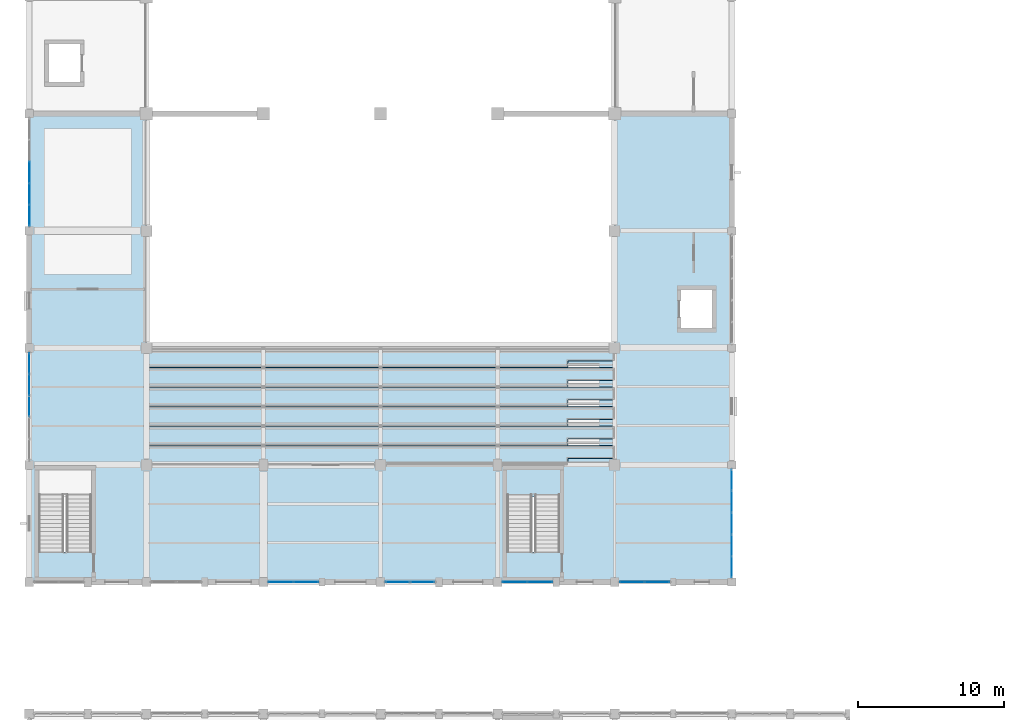
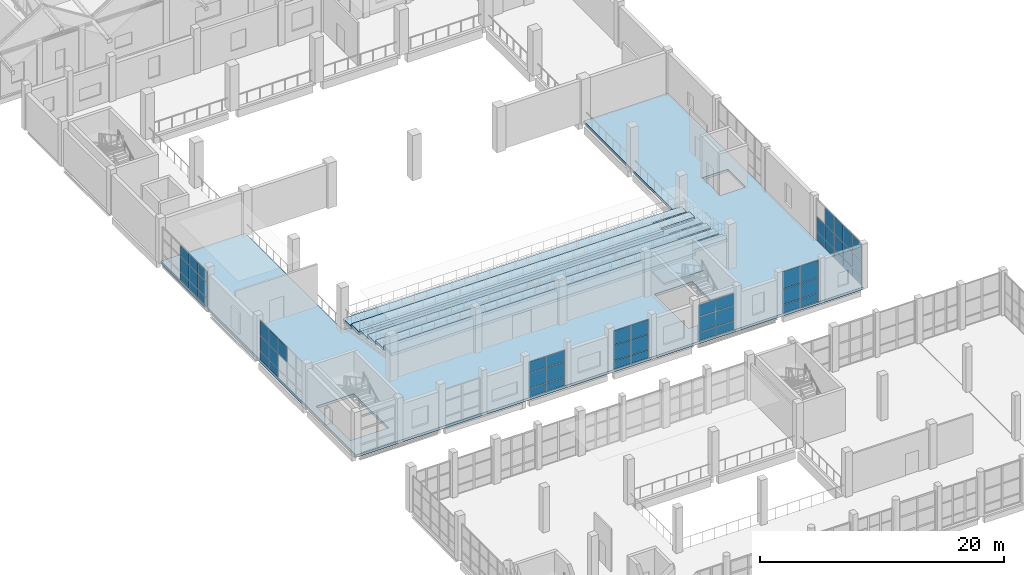
# One storey, part 120 of 183: 54 plates, 8 slabs, 8 elements without a shape of their own.
"""IFC4 building model written with IfcOpenShell, lengths in metres."""

from ifc_helpers import new_model, si_unit, direction, frame, origin, origin_2d, place, context, subcontext, project, spatial, polyline, rectangle, outline, extrude, material, layer, layer_set, type_object, element, aggregate, save


model = new_model("IFC4")

# Units and contexts
model_context = context("Model", 3, precision=1e-05, world=origin(), true_north=direction((0.0, 1.0)))
body_context = subcontext(model_context, "Body", "Model", "MODEL_VIEW")
ifc_project = project(units=[si_unit("LENGTHUNIT", "METRE"), si_unit("AREAUNIT", "SQUARE_METRE"), si_unit("VOLUMEUNIT", "CUBIC_METRE"), si_unit("PLANEANGLEUNIT", "RADIAN"), si_unit("MASSUNIT", "GRAM", prefix="KILO")], contexts=[model_context])

# Site, building, storey
site_placement = place(None, origin())
site = spatial("IfcSite", under=ifc_project, at=site_placement, CompositionType="ELEMENT")
building_placement = place(site_placement, origin())
building = spatial("IfcBuilding", under=site, at=building_placement, Name="Luwemba Playhouse", CompositionType="ELEMENT")
storey_placement = place(building_placement, frame((0.0, 0.0, 4.800048828125)))
storey = spatial("IfcBuildingStorey", under=building, at=storey_placement, Name="L01", CompositionType="ELEMENT", Elevation=4.800048828125)

# Curtain wall, plates
ifc_material_1 = material(Name="Solar-control double glazing", Category="glass")
curtain_wall_type_1 = type_object("IfcCurtainWallType", Name="CW-CW74", PredefinedType="USERDEFINED", material=ifc_material_1)
curtain_wall_1_placement = place(storey_placement, origin())
curtain_wall_1 = element("IfcCurtainWall", 1, at=curtain_wall_1_placement, inside=storey, type_object=curtain_wall_type_1, Name="L01 V1 unitised curtain wall 098", ObjectType="UNITISED GLAZING", PredefinedType="USERDEFINED")
ifc_layer_1 = layer(ifc_material_1, 0.02392578125)
ifc_layer_set_1 = layer_set([ifc_layer_1], Name="Solar-control double glazing")
plate_type_1 = type_object("IfcPlateType", Name="CWP-P1", PredefinedType="CURTAIN_PANEL", material=ifc_layer_set_1)
plate_1_placement = place(storey_placement, frame((52.0, 42.965087890625, 0.059814453125), z_axis=(0.0, 0.0, 1.0), x_axis=(0.0, -1.0, 0.0)))
plate_1 = element("IfcPlate", 2, at=plate_1_placement, type_object=plate_type_1, Name="CW74 panel 1.1", PredefinedType="CURTAIN_PANEL", context=body_context, shape_type="SweptSolid", body=[
    extrude(rectangle(XDim=1.39990234375, YDim=0.02392578125, at=origin_2d()), origin(), (0.0, 0.0, 1.0), 0.81005859375),
])
plate_2_placement = place(storey_placement, frame((52.0, 42.965087890625, 0.93017578125), z_axis=(0.0, 0.0, 1.0), x_axis=(0.0, -1.0, 0.0)))
plate_2 = element("IfcPlate", 3, at=plate_2_placement, type_object=plate_type_1, Name="CW74 panel 1.2", PredefinedType="CURTAIN_PANEL", context=body_context, shape_type="SweptSolid", body=[
    extrude(rectangle(XDim=1.39990234375, YDim=0.02392578125, at=origin_2d()), origin(), (0.0, 0.0, 1.0), 1.489990234375),
])
plate_3_placement = place(storey_placement, frame((52.0, 41.489990234375, 0.059814453125), z_axis=(0.0, 0.0, 1.0), x_axis=(0.0, -1.0, 0.0)))
plate_3 = element("IfcPlate", 4, at=plate_3_placement, type_object=plate_type_1, Name="CW74 panel 2.1", PredefinedType="CURTAIN_PANEL", context=body_context, shape_type="SweptSolid", body=[
    extrude(rectangle(XDim=1.429931640625, YDim=0.02392578125, at=origin_2d()), origin(), (0.0, 0.0, 1.0), 0.81005859375),
])
plate_4_placement = place(storey_placement, frame((52.0, 41.489990234375, 0.93017578125), z_axis=(0.0, 0.0, 1.0), x_axis=(0.0, -1.0, 0.0)))
plate_4 = element("IfcPlate", 5, at=plate_4_placement, type_object=plate_type_1, Name="CW74 panel 2.2", PredefinedType="CURTAIN_PANEL", context=body_context, shape_type="SweptSolid", body=[
    extrude(rectangle(XDim=1.429931640625, YDim=0.02392578125, at=origin_2d()), origin(), (0.0, 0.0, 1.0), 1.489990234375),
])
plate_5_placement = place(storey_placement, frame((52.0, 41.489990234375, 2.47998046875), z_axis=(0.0, 0.0, 1.0), x_axis=(0.0, -1.0, 0.0)))
plate_5 = element("IfcPlate", 6, at=plate_5_placement, type_object=plate_type_1, Name="CW74 panel 2.3", PredefinedType="CURTAIN_PANEL", context=body_context, shape_type="SweptSolid", body=[
    extrude(rectangle(XDim=1.429931640625, YDim=0.02392578125, at=origin_2d()), origin(), (0.0, 0.0, 1.0), 1.7099609375),
])
plate_6_placement = place(storey_placement, frame((52.0, 40.0, 0.059814453125), z_axis=(0.0, 0.0, 1.0), x_axis=(0.0, -1.0, 0.0)))
plate_6 = element("IfcPlate", 7, at=plate_6_placement, type_object=plate_type_1, Name="CW74 panel 3.1", PredefinedType="CURTAIN_PANEL", context=body_context, shape_type="SweptSolid", body=[
    extrude(rectangle(XDim=1.429931640625, YDim=0.02392578125, at=origin_2d()), origin(), (0.0, 0.0, 1.0), 0.81005859375),
])
plate_7_placement = place(storey_placement, frame((52.0, 40.0, 0.93017578125), z_axis=(0.0, 0.0, 1.0), x_axis=(0.0, -1.0, 0.0)))
plate_7 = element("IfcPlate", 8, at=plate_7_placement, type_object=plate_type_1, Name="CW74 panel 3.2", PredefinedType="CURTAIN_PANEL", context=body_context, shape_type="SweptSolid", body=[
    extrude(rectangle(XDim=1.429931640625, YDim=0.02392578125, at=origin_2d()), origin(), (0.0, 0.0, 1.0), 1.489990234375),
])
plate_8_placement = place(storey_placement, frame((52.0, 40.0, 2.47998046875), z_axis=(0.0, 0.0, 1.0), x_axis=(0.0, -1.0, 0.0)))
plate_8 = element("IfcPlate", 9, at=plate_8_placement, type_object=plate_type_1, Name="CW74 panel 3.3", PredefinedType="CURTAIN_PANEL", context=body_context, shape_type="SweptSolid", body=[
    extrude(rectangle(XDim=1.429931640625, YDim=0.02392578125, at=origin_2d()), origin(), (0.0, 0.0, 1.0), 1.7099609375),
])
plate_9_placement = place(storey_placement, frame((52.0, 38.510009765625, 0.059814453125), z_axis=(0.0, 0.0, 1.0), x_axis=(0.0, -1.0, 0.0)))
plate_9 = element("IfcPlate", 10, at=plate_9_placement, type_object=plate_type_1, Name="CW74 panel 4.1", PredefinedType="CURTAIN_PANEL", context=body_context, shape_type="SweptSolid", body=[
    extrude(rectangle(XDim=1.429931640625, YDim=0.02392578125, at=origin_2d()), origin(), (0.0, 0.0, 1.0), 0.81005859375),
])
plate_10_placement = place(storey_placement, frame((52.0, 38.510009765625, 0.93017578125), z_axis=(0.0, 0.0, 1.0), x_axis=(0.0, -1.0, 0.0)))
plate_10 = element("IfcPlate", 11, at=plate_10_placement, type_object=plate_type_1, Name="CW74 panel 4.2", PredefinedType="CURTAIN_PANEL", context=body_context, shape_type="SweptSolid", body=[
    extrude(rectangle(XDim=1.429931640625, YDim=0.02392578125, at=origin_2d()), origin(), (0.0, 0.0, 1.0), 1.489990234375),
])
plate_11_placement = place(storey_placement, frame((52.0, 38.510009765625, 2.47998046875), z_axis=(0.0, 0.0, 1.0), x_axis=(0.0, -1.0, 0.0)))
plate_11 = element("IfcPlate", 12, at=plate_11_placement, type_object=plate_type_1, Name="CW74 panel 4.3", PredefinedType="CURTAIN_PANEL", context=body_context, shape_type="SweptSolid", body=[
    extrude(rectangle(XDim=1.429931640625, YDim=0.02392578125, at=origin_2d()), origin(), (0.0, 0.0, 1.0), 1.7099609375),
])
plate_12_placement = place(storey_placement, frame((52.0, 37.034912109375, 0.059814453125), z_axis=(0.0, 0.0, 1.0), x_axis=(0.0, -1.0, 0.0)))
plate_12 = element("IfcPlate", 13, at=plate_12_placement, type_object=plate_type_1, Name="CW74 panel 5.1", PredefinedType="CURTAIN_PANEL", context=body_context, shape_type="SweptSolid", body=[
    extrude(rectangle(XDim=1.39990234375, YDim=0.02392578125, at=origin_2d()), origin(), (0.0, 0.0, 1.0), 0.81005859375),
])
plate_13_placement = place(storey_placement, frame((52.0, 37.034912109375, 0.93017578125), z_axis=(0.0, 0.0, 1.0), x_axis=(0.0, -1.0, 0.0)))
plate_13 = element("IfcPlate", 14, at=plate_13_placement, type_object=plate_type_1, Name="CW74 panel 5.2", PredefinedType="CURTAIN_PANEL", context=body_context, shape_type="SweptSolid", body=[
    extrude(rectangle(XDim=1.39990234375, YDim=0.02392578125, at=origin_2d()), origin(), (0.0, 0.0, 1.0), 1.489990234375),
])
plate_14_placement = place(storey_placement, frame((52.0, 37.034912109375, 2.47998046875), z_axis=(0.0, 0.0, 1.0), x_axis=(0.0, -1.0, 0.0)))
plate_14 = element("IfcPlate", 15, at=plate_14_placement, type_object=plate_type_1, Name="CW74 panel 5.3", PredefinedType="CURTAIN_PANEL", context=body_context, shape_type="SweptSolid", body=[
    extrude(rectangle(XDim=1.39990234375, YDim=0.02392578125, at=origin_2d()), origin(), (0.0, 0.0, 1.0), 1.7099609375),
])
aggregate(curtain_wall_1, [plate_1, plate_2, plate_3, plate_4, plate_5, plate_6, plate_7, plate_8, plate_9, plate_10, plate_11, plate_12, plate_13, plate_14])

curtain_wall_type_2 = type_object("IfcCurtainWallType", Name="CW-CW77", PredefinedType="USERDEFINED", material=ifc_material_1)
curtain_wall_2_placement = place(storey_placement, origin())
curtain_wall_2 = element("IfcCurtainWall", 16, at=curtain_wall_2_placement, inside=storey, type_object=curtain_wall_type_2, Name="L01 V1 unitised curtain wall 102", ObjectType="UNITISED GLAZING", PredefinedType="USERDEFINED")
plate_15_placement = place(storey_placement, frame((22.909912109375, 36.0, 0.059814453125), z_axis=(0.0, 0.0, 1.0), x_axis=(-1.0, 0.0, 0.0)))
plate_15 = element("IfcPlate", 17, at=plate_15_placement, type_object=plate_type_1, Name="CW77 panel 1.1", PredefinedType="CURTAIN_PANEL", context=body_context, shape_type="SweptSolid", body=[
    extrude(rectangle(XDim=1.659912109375, YDim=0.02392578125, at=origin_2d()), origin(), (0.0, 0.0, 1.0), 0.81005859375),
])
plate_16_placement = place(storey_placement, frame((22.909912109375, 36.0, 0.93017578125), z_axis=(0.0, 0.0, 1.0), x_axis=(-1.0, 0.0, 0.0)))
plate_16 = element("IfcPlate", 18, at=plate_16_placement, type_object=plate_type_1, Name="CW77 panel 1.2", PredefinedType="CURTAIN_PANEL", context=body_context, shape_type="SweptSolid", body=[
    extrude(rectangle(XDim=1.659912109375, YDim=0.02392578125, at=origin_2d()), origin(), (0.0, 0.0, 1.0), 1.489990234375),
])
plate_17_placement = place(storey_placement, frame((22.909912109375, 36.0, 2.47998046875), z_axis=(0.0, 0.0, 1.0), x_axis=(-1.0, 0.0, 0.0)))
plate_17 = element("IfcPlate", 19, at=plate_17_placement, type_object=plate_type_1, Name="CW77 panel 1.3", PredefinedType="CURTAIN_PANEL", context=body_context, shape_type="SweptSolid", body=[
    extrude(rectangle(XDim=1.659912109375, YDim=0.02392578125, at=origin_2d()), origin(), (0.0, 0.0, 1.0), 1.094970703125),
])
plate_18_placement = place(storey_placement, frame((21.18994140625, 36.0, 0.059814453125), z_axis=(0.0, 0.0, 1.0), x_axis=(-1.0, 0.0, 0.0)))
plate_18 = element("IfcPlate", 20, at=plate_18_placement, type_object=plate_type_1, Name="CW77 panel 2.1", PredefinedType="CURTAIN_PANEL", context=body_context, shape_type="SweptSolid", body=[
    extrude(rectangle(XDim=1.659912109375, YDim=0.02392578125, at=origin_2d()), origin(), (0.0, 0.0, 1.0), 0.81005859375),
])
plate_19_placement = place(storey_placement, frame((21.18994140625, 36.0, 0.93017578125), z_axis=(0.0, 0.0, 1.0), x_axis=(-1.0, 0.0, 0.0)))
plate_19 = element("IfcPlate", 21, at=plate_19_placement, type_object=plate_type_1, Name="CW77 panel 2.2", PredefinedType="CURTAIN_PANEL", context=body_context, shape_type="SweptSolid", body=[
    extrude(rectangle(XDim=1.659912109375, YDim=0.02392578125, at=origin_2d()), origin(), (0.0, 0.0, 1.0), 1.489990234375),
])
plate_20_placement = place(storey_placement, frame((21.18994140625, 36.0, 2.47998046875), z_axis=(0.0, 0.0, 1.0), x_axis=(-1.0, 0.0, 0.0)))
plate_20 = element("IfcPlate", 22, at=plate_20_placement, type_object=plate_type_1, Name="CW77 panel 2.3", PredefinedType="CURTAIN_PANEL", context=body_context, shape_type="SweptSolid", body=[
    extrude(rectangle(XDim=1.659912109375, YDim=0.02392578125, at=origin_2d()), origin(), (0.0, 0.0, 1.0), 1.094970703125),
])
aggregate(curtain_wall_2, [plate_15, plate_16, plate_17, plate_18, plate_19, plate_20])

curtain_wall_type_3 = type_object("IfcCurtainWallType", Name="CW-CW71", PredefinedType="USERDEFINED", material=ifc_material_1)
curtain_wall_3_placement = place(storey_placement, origin())
curtain_wall_3 = element("IfcCurtainWall", 23, at=curtain_wall_3_placement, inside=storey, type_object=curtain_wall_type_3, Name="L01 V1 unitised curtain wall 095", ObjectType="UNITISED GLAZING", PredefinedType="USERDEFINED")
ifc_layer_2 = layer(ifc_material_1, 0.028076171875)
ifc_layer_set_2 = layer_set([ifc_layer_2], Name="Solar-control double glazing")
plate_type_2 = type_object("IfcPlateType", Name="CWP-P2", PredefinedType="CURTAIN_PANEL", material=ifc_layer_set_2)
plate_21_placement = place(storey_placement, frame((4.0, 48.0, 2.4775390625), z_axis=(0.0, 0.0, 1.0), x_axis=(0.0, 1.0, 0.0)))
plate_21 = element("IfcPlate", 24, at=plate_21_placement, type_object=plate_type_2, Name="CW71 panel 3.3", PredefinedType="CURTAIN_PANEL", context=body_context, shape_type="SweptSolid", body=[
    extrude(rectangle(XDim=1.4150390625, YDim=0.028076171875, at=origin_2d()), origin(), (0.0, 0.0, 1.0), 1.50244140625),
])
plate_22_placement = place(storey_placement, frame((4.0, 49.47998046875, 0.054931640625), z_axis=(0.0, 0.0, 1.0), x_axis=(0.0, 1.0, 0.0)))
plate_22 = element("IfcPlate", 25, at=plate_22_placement, type_object=plate_type_2, Name="CW71 panel 4.1", PredefinedType="CURTAIN_PANEL", context=body_context, shape_type="SweptSolid", body=[
    extrude(rectangle(XDim=1.4150390625, YDim=0.028076171875, at=origin_2d()), origin(), (0.0, 0.0, 1.0), 0.8173828125),
])
plate_23_placement = place(storey_placement, frame((4.0, 49.47998046875, 0.927490234375), z_axis=(0.0, 0.0, 1.0), x_axis=(0.0, 1.0, 0.0)))
plate_23 = element("IfcPlate", 26, at=plate_23_placement, type_object=plate_type_2, Name="CW71 panel 4.2", PredefinedType="CURTAIN_PANEL", context=body_context, shape_type="SweptSolid", body=[
    extrude(rectangle(XDim=1.4150390625, YDim=0.028076171875, at=origin_2d()), origin(), (0.0, 0.0, 1.0), 1.4951171875),
])
plate_24_placement = place(storey_placement, frame((4.0, 49.47998046875, 2.4775390625), z_axis=(0.0, 0.0, 1.0), x_axis=(0.0, 1.0, 0.0)))
plate_24 = element("IfcPlate", 27, at=plate_24_placement, type_object=plate_type_2, Name="CW71 panel 4.3", PredefinedType="CURTAIN_PANEL", context=body_context, shape_type="SweptSolid", body=[
    extrude(rectangle(XDim=1.4150390625, YDim=0.028076171875, at=origin_2d()), origin(), (0.0, 0.0, 1.0), 1.50244140625),
])
plate_25_placement = place(storey_placement, frame((4.0, 50.94384765625, 0.054931640625), z_axis=(0.0, 0.0, 1.0), x_axis=(0.0, 1.0, 0.0)))
plate_25 = element("IfcPlate", 28, at=plate_25_placement, type_object=plate_type_2, Name="CW71 panel 5.1", PredefinedType="CURTAIN_PANEL", context=body_context, shape_type="SweptSolid", body=[
    extrude(rectangle(XDim=1.382568359375, YDim=0.028076171875, at=origin_2d()), origin(), (0.0, 0.0, 1.0), 0.8173828125),
])
plate_26_placement = place(storey_placement, frame((4.0, 50.94384765625, 0.927490234375), z_axis=(0.0, 0.0, 1.0), x_axis=(0.0, 1.0, 0.0)))
plate_26 = element("IfcPlate", 29, at=plate_26_placement, type_object=plate_type_2, Name="CW71 panel 5.2", PredefinedType="CURTAIN_PANEL", context=body_context, shape_type="SweptSolid", body=[
    extrude(rectangle(XDim=1.382568359375, YDim=0.028076171875, at=origin_2d()), origin(), (0.0, 0.0, 1.0), 1.4951171875),
])
plate_27_placement = place(storey_placement, frame((4.0, 50.94384765625, 2.4775390625), z_axis=(0.0, 0.0, 1.0), x_axis=(0.0, 1.0, 0.0)))
plate_27 = element("IfcPlate", 30, at=plate_27_placement, type_object=plate_type_2, Name="CW71 panel 5.3", PredefinedType="CURTAIN_PANEL", context=body_context, shape_type="SweptSolid", body=[
    extrude(rectangle(XDim=1.382568359375, YDim=0.028076171875, at=origin_2d()), origin(), (0.0, 0.0, 1.0), 1.50244140625),
])
aggregate(curtain_wall_3, [plate_21, plate_22, plate_23, plate_24, plate_25, plate_26, plate_27])

curtain_wall_type_4 = type_object("IfcCurtainWallType", Name="CW-CW75", PredefinedType="USERDEFINED", material=ifc_material_1)
curtain_wall_4_placement = place(storey_placement, origin())
curtain_wall_4 = element("IfcCurtainWall", 31, at=curtain_wall_4_placement, inside=storey, type_object=curtain_wall_type_4, Name="L01 V1 unitised curtain wall 099", ObjectType="UNITISED GLAZING", PredefinedType="USERDEFINED")
plate_28_placement = place(storey_placement, frame((46.90869140625, 36.0, 0.054931640625), z_axis=(0.0, 0.0, 1.0), x_axis=(-1.0, 0.0, 0.0)))
plate_28 = element("IfcPlate", 32, at=plate_28_placement, type_object=plate_type_2, Name="CW75 panel 1.1", PredefinedType="CURTAIN_PANEL", context=body_context, shape_type="SweptSolid", body=[
    extrude(rectangle(XDim=1.652587890625, YDim=0.028076171875, at=origin_2d()), origin(), (0.0, 0.0, 1.0), 0.8173828125),
])
plate_29_placement = place(storey_placement, frame((46.90869140625, 36.0, 0.927490234375), z_axis=(0.0, 0.0, 1.0), x_axis=(-1.0, 0.0, 0.0)))
plate_29 = element("IfcPlate", 33, at=plate_29_placement, type_object=plate_type_2, Name="CW75 panel 1.2", PredefinedType="CURTAIN_PANEL", context=body_context, shape_type="SweptSolid", body=[
    extrude(rectangle(XDim=1.652587890625, YDim=0.028076171875, at=origin_2d()), origin(), (0.0, 0.0, 1.0), 1.4951171875),
])
plate_30_placement = place(storey_placement, frame((46.90869140625, 36.0, 2.4775390625), z_axis=(0.0, 0.0, 1.0), x_axis=(-1.0, 0.0, 0.0)))
plate_30 = element("IfcPlate", 34, at=plate_30_placement, type_object=plate_type_2, Name="CW75 panel 1.3", PredefinedType="CURTAIN_PANEL", context=body_context, shape_type="SweptSolid", body=[
    extrude(rectangle(XDim=1.652587890625, YDim=0.028076171875, at=origin_2d()), origin(), (0.0, 0.0, 1.0), 1.717529296875),
])
plate_31_placement = place(storey_placement, frame((45.191162109375, 36.0, 0.054931640625), z_axis=(0.0, 0.0, 1.0), x_axis=(-1.0, 0.0, 0.0)))
plate_31 = element("IfcPlate", 35, at=plate_31_placement, type_object=plate_type_2, Name="CW75 panel 2.1", PredefinedType="CURTAIN_PANEL", context=body_context, shape_type="SweptSolid", body=[
    extrude(rectangle(XDim=1.652587890625, YDim=0.028076171875, at=origin_2d()), origin(), (0.0, 0.0, 1.0), 0.8173828125),
])
plate_32_placement = place(storey_placement, frame((45.191162109375, 36.0, 0.927490234375), z_axis=(0.0, 0.0, 1.0), x_axis=(-1.0, 0.0, 0.0)))
plate_32 = element("IfcPlate", 36, at=plate_32_placement, type_object=plate_type_2, Name="CW75 panel 2.2", PredefinedType="CURTAIN_PANEL", context=body_context, shape_type="SweptSolid", body=[
    extrude(rectangle(XDim=1.652587890625, YDim=0.028076171875, at=origin_2d()), origin(), (0.0, 0.0, 1.0), 1.4951171875),
])
plate_33_placement = place(storey_placement, frame((45.191162109375, 36.0, 2.4775390625), z_axis=(0.0, 0.0, 1.0), x_axis=(-1.0, 0.0, 0.0)))
plate_33 = element("IfcPlate", 37, at=plate_33_placement, type_object=plate_type_2, Name="CW75 panel 2.3", PredefinedType="CURTAIN_PANEL", context=body_context, shape_type="SweptSolid", body=[
    extrude(rectangle(XDim=1.652587890625, YDim=0.028076171875, at=origin_2d()), origin(), (0.0, 0.0, 1.0), 1.717529296875),
])
aggregate(curtain_wall_4, [plate_28, plate_29, plate_30, plate_31, plate_32, plate_33])

curtain_wall_type_5 = type_object("IfcCurtainWallType", Name="CW-CW72", PredefinedType="USERDEFINED", material=ifc_material_1)
curtain_wall_5_placement = place(storey_placement, origin())
curtain_wall_5 = element("IfcCurtainWall", 38, at=curtain_wall_5_placement, inside=storey, type_object=curtain_wall_type_5, Name="L01 V1 unitised curtain wall 096", ObjectType="UNITISED GLAZING", PredefinedType="USERDEFINED")
ifc_layer_3 = layer(ifc_material_1, 0.031982421875)
ifc_layer_set_3 = layer_set([ifc_layer_3], Name="Solar-control double glazing")
plate_type_3 = type_object("IfcPlateType", Name="CWP-P3", PredefinedType="CURTAIN_PANEL", material=ifc_layer_set_3)
plate_34_placement = place(storey_placement, frame((4.0, 61.0537109375, 0.06494140625), z_axis=(0.0, 0.0, 1.0), x_axis=(0.0, 1.0, 0.0)))
plate_34 = element("IfcPlate", 39, at=plate_34_placement, type_object=plate_type_3, Name="CW72 panel 1.1", PredefinedType="CURTAIN_PANEL", context=body_context, shape_type="SweptSolid", body=[
    extrude(rectangle(XDim=1.3974609375, YDim=0.031982421875, at=origin_2d()), origin(), (0.0, 0.0, 1.0), 0.802490234375),
])
plate_35_placement = place(storey_placement, frame((4.0, 61.0537109375, 0.9326171875), z_axis=(0.0, 0.0, 1.0), x_axis=(0.0, 1.0, 0.0)))
plate_35 = element("IfcPlate", 40, at=plate_35_placement, type_object=plate_type_3, Name="CW72 panel 1.2", PredefinedType="CURTAIN_PANEL", context=body_context, shape_type="SweptSolid", body=[
    extrude(rectangle(XDim=1.3974609375, YDim=0.031982421875, at=origin_2d()), origin(), (0.0, 0.0, 1.0), 1.485107421875),
])
plate_36_placement = place(storey_placement, frame((4.0, 61.0537109375, 2.482421875), z_axis=(0.0, 0.0, 1.0), x_axis=(0.0, 1.0, 0.0)))
plate_36 = element("IfcPlate", 41, at=plate_36_placement, type_object=plate_type_3, Name="CW72 panel 1.3", PredefinedType="CURTAIN_PANEL", context=body_context, shape_type="SweptSolid", body=[
    extrude(rectangle(XDim=1.3974609375, YDim=0.031982421875, at=origin_2d()), origin(), (0.0, 0.0, 1.0), 1.08740234375),
])
plate_37_placement = place(storey_placement, frame((4.0, 62.52001953125, 0.06494140625), z_axis=(0.0, 0.0, 1.0), x_axis=(0.0, 1.0, 0.0)))
plate_37 = element("IfcPlate", 42, at=plate_37_placement, type_object=plate_type_3, Name="CW72 panel 2.1", PredefinedType="CURTAIN_PANEL", context=body_context, shape_type="SweptSolid", body=[
    extrude(rectangle(XDim=1.425048828125, YDim=0.031982421875, at=origin_2d()), origin(), (0.0, 0.0, 1.0), 0.802490234375),
])
plate_38_placement = place(storey_placement, frame((4.0, 62.52001953125, 0.9326171875), z_axis=(0.0, 0.0, 1.0), x_axis=(0.0, 1.0, 0.0)))
plate_38 = element("IfcPlate", 43, at=plate_38_placement, type_object=plate_type_3, Name="CW72 panel 2.2", PredefinedType="CURTAIN_PANEL", context=body_context, shape_type="SweptSolid", body=[
    extrude(rectangle(XDim=1.425048828125, YDim=0.031982421875, at=origin_2d()), origin(), (0.0, 0.0, 1.0), 1.485107421875),
])
plate_39_placement = place(storey_placement, frame((4.0, 62.52001953125, 2.482421875), z_axis=(0.0, 0.0, 1.0), x_axis=(0.0, 1.0, 0.0)))
plate_39 = element("IfcPlate", 44, at=plate_39_placement, type_object=plate_type_3, Name="CW72 panel 2.3", PredefinedType="CURTAIN_PANEL", context=body_context, shape_type="SweptSolid", body=[
    extrude(rectangle(XDim=1.425048828125, YDim=0.031982421875, at=origin_2d()), origin(), (0.0, 0.0, 1.0), 1.08740234375),
])
plate_40_placement = place(storey_placement, frame((4.0, 64.0, 0.06494140625), z_axis=(0.0, 0.0, 1.0), x_axis=(0.0, 1.0, 0.0)))
plate_40 = element("IfcPlate", 45, at=plate_40_placement, type_object=plate_type_3, Name="CW72 panel 3.1", PredefinedType="CURTAIN_PANEL", context=body_context, shape_type="SweptSolid", body=[
    extrude(rectangle(XDim=1.425048828125, YDim=0.031982421875, at=origin_2d()), origin(), (0.0, 0.0, 1.0), 0.802490234375),
])
plate_41_placement = place(storey_placement, frame((4.0, 64.0, 0.9326171875), z_axis=(0.0, 0.0, 1.0), x_axis=(0.0, 1.0, 0.0)))
plate_41 = element("IfcPlate", 46, at=plate_41_placement, type_object=plate_type_3, Name="CW72 panel 3.2", PredefinedType="CURTAIN_PANEL", context=body_context, shape_type="SweptSolid", body=[
    extrude(rectangle(XDim=1.425048828125, YDim=0.031982421875, at=origin_2d()), origin(), (0.0, 0.0, 1.0), 1.485107421875),
])
plate_42_placement = place(storey_placement, frame((4.0, 64.0, 2.482421875), z_axis=(0.0, 0.0, 1.0), x_axis=(0.0, 1.0, 0.0)))
plate_42 = element("IfcPlate", 47, at=plate_42_placement, type_object=plate_type_3, Name="CW72 panel 3.3", PredefinedType="CURTAIN_PANEL", context=body_context, shape_type="SweptSolid", body=[
    extrude(rectangle(XDim=1.425048828125, YDim=0.031982421875, at=origin_2d()), origin(), (0.0, 0.0, 1.0), 1.08740234375),
])
aggregate(curtain_wall_5, [plate_34, plate_35, plate_36, plate_37, plate_38, plate_39, plate_40, plate_41, plate_42])

curtain_wall_type_6 = type_object("IfcCurtainWallType", Name="CW-CW76", PredefinedType="USERDEFINED", material=ifc_material_1)
curtain_wall_6_placement = place(storey_placement, origin())
curtain_wall_6 = element("IfcCurtainWall", 48, at=curtain_wall_6_placement, inside=storey, type_object=curtain_wall_type_6, Name="L01 V1 unitised curtain wall 100", ObjectType="UNITISED GLAZING", PredefinedType="USERDEFINED")
plate_43_placement = place(storey_placement, frame((38.892578125, 36.0, 0.06494140625), z_axis=(0.0, 0.0, 1.0), x_axis=(-1.0, 0.0, 0.0)))
plate_43 = element("IfcPlate", 49, at=plate_43_placement, type_object=plate_type_3, Name="CW76 panel 1.1", PredefinedType="CURTAIN_PANEL", context=body_context, shape_type="SweptSolid", body=[
    extrude(rectangle(XDim=1.655029296875, YDim=0.031982421875, at=origin_2d()), origin(), (0.0, 0.0, 1.0), 0.802490234375),
])
plate_44_placement = place(storey_placement, frame((38.892578125, 36.0, 0.9326171875), z_axis=(0.0, 0.0, 1.0), x_axis=(-1.0, 0.0, 0.0)))
plate_44 = element("IfcPlate", 50, at=plate_44_placement, type_object=plate_type_3, Name="CW76 panel 1.2", PredefinedType="CURTAIN_PANEL", context=body_context, shape_type="SweptSolid", body=[
    extrude(rectangle(XDim=1.655029296875, YDim=0.031982421875, at=origin_2d()), origin(), (0.0, 0.0, 1.0), 1.485107421875),
])
plate_45_placement = place(storey_placement, frame((38.892578125, 36.0, 2.482421875), z_axis=(0.0, 0.0, 1.0), x_axis=(-1.0, 0.0, 0.0)))
plate_45 = element("IfcPlate", 51, at=plate_45_placement, type_object=plate_type_3, Name="CW76 panel 1.3", PredefinedType="CURTAIN_PANEL", context=body_context, shape_type="SweptSolid", body=[
    extrude(rectangle(XDim=1.655029296875, YDim=0.031982421875, at=origin_2d()), origin(), (0.0, 0.0, 1.0), 1.1875),
])
plate_46_placement = place(storey_placement, frame((37.1826171875, 36.0, 0.06494140625), z_axis=(0.0, 0.0, 1.0), x_axis=(-1.0, 0.0, 0.0)))
plate_46 = element("IfcPlate", 52, at=plate_46_placement, type_object=plate_type_3, Name="CW76 panel 2.1", PredefinedType="CURTAIN_PANEL", context=body_context, shape_type="SweptSolid", body=[
    extrude(rectangle(XDim=1.655029296875, YDim=0.031982421875, at=origin_2d()), origin(), (0.0, 0.0, 1.0), 0.802490234375),
])
plate_47_placement = place(storey_placement, frame((37.1826171875, 36.0, 0.9326171875), z_axis=(0.0, 0.0, 1.0), x_axis=(-1.0, 0.0, 0.0)))
plate_47 = element("IfcPlate", 53, at=plate_47_placement, type_object=plate_type_3, Name="CW76 panel 2.2", PredefinedType="CURTAIN_PANEL", context=body_context, shape_type="SweptSolid", body=[
    extrude(rectangle(XDim=1.655029296875, YDim=0.031982421875, at=origin_2d()), origin(), (0.0, 0.0, 1.0), 1.485107421875),
])
plate_48_placement = place(storey_placement, frame((37.1826171875, 36.0, 2.482421875), z_axis=(0.0, 0.0, 1.0), x_axis=(-1.0, 0.0, 0.0)))
plate_48 = element("IfcPlate", 54, at=plate_48_placement, type_object=plate_type_3, Name="CW76 panel 2.3", PredefinedType="CURTAIN_PANEL", context=body_context, shape_type="SweptSolid", body=[
    extrude(rectangle(XDim=1.655029296875, YDim=0.031982421875, at=origin_2d()), origin(), (0.0, 0.0, 1.0), 1.1875),
])
aggregate(curtain_wall_6, [plate_43, plate_44, plate_45, plate_46, plate_47, plate_48])

curtain_wall_type_7 = type_object("IfcCurtainWallType", Name="CW-CW63", PredefinedType="USERDEFINED", material=ifc_material_1)
curtain_wall_7_placement = place(storey_placement, origin())
curtain_wall_7 = element("IfcCurtainWall", 55, at=curtain_wall_7_placement, inside=storey, type_object=curtain_wall_type_7, Name="L01 V1 unitised curtain wall 101", ObjectType="UNITISED GLAZING", PredefinedType="USERDEFINED")
ifc_layer_4 = layer(ifc_material_1, 0.035888671875)
ifc_layer_set_4 = layer_set([ifc_layer_4], Name="Solar-control double glazing")
plate_type_4 = type_object("IfcPlateType", Name="CWP-P4", PredefinedType="CURTAIN_PANEL", material=ifc_layer_set_4)
plate_49_placement = place(storey_placement, frame((30.8701171875, 36.0, 0.0498046875), z_axis=(0.0, 0.0, 1.0), x_axis=(-1.0, 0.0, 0.0)))
plate_49 = element("IfcPlate", 56, at=plate_49_placement, type_object=plate_type_4, Name="CW63 panel 1.1", PredefinedType="CURTAIN_PANEL", context=body_context, shape_type="SweptSolid", body=[
    extrude(rectangle(XDim=1.6201171875, YDim=0.035888671875, at=origin_2d()), origin(), (0.0, 0.0, 1.0), 0.824951171875),
])
plate_50_placement = place(storey_placement, frame((30.8701171875, 36.0, 0.925048828125), z_axis=(0.0, 0.0, 1.0), x_axis=(-1.0, 0.0, 0.0)))
plate_50 = element("IfcPlate", 57, at=plate_50_placement, type_object=plate_type_4, Name="CW63 panel 1.2", PredefinedType="CURTAIN_PANEL", context=body_context, shape_type="SweptSolid", body=[
    extrude(rectangle(XDim=1.6201171875, YDim=0.035888671875, at=origin_2d()), origin(), (0.0, 0.0, 1.0), 1.5),
])
plate_51_placement = place(storey_placement, frame((30.8701171875, 36.0, 2.47509765625), z_axis=(0.0, 0.0, 1.0), x_axis=(-1.0, 0.0, 0.0)))
plate_51 = element("IfcPlate", 58, at=plate_51_placement, type_object=plate_type_4, Name="CW63 panel 1.3", PredefinedType="CURTAIN_PANEL", context=body_context, shape_type="SweptSolid", body=[
    extrude(rectangle(XDim=1.6201171875, YDim=0.035888671875, at=origin_2d()), origin(), (0.0, 0.0, 1.0), 1.409912109375),
])
plate_52_placement = place(storey_placement, frame((29.179931640625, 36.0, 0.0498046875), z_axis=(0.0, 0.0, 1.0), x_axis=(-1.0, 0.0, 0.0)))
plate_52 = element("IfcPlate", 59, at=plate_52_placement, type_object=plate_type_4, Name="CW63 panel 2.1", PredefinedType="CURTAIN_PANEL", context=body_context, shape_type="SweptSolid", body=[
    extrude(rectangle(XDim=1.6201171875, YDim=0.035888671875, at=origin_2d()), origin(), (0.0, 0.0, 1.0), 0.824951171875),
])
plate_53_placement = place(storey_placement, frame((29.179931640625, 36.0, 0.925048828125), z_axis=(0.0, 0.0, 1.0), x_axis=(-1.0, 0.0, 0.0)))
plate_53 = element("IfcPlate", 60, at=plate_53_placement, type_object=plate_type_4, Name="CW63 panel 2.2", PredefinedType="CURTAIN_PANEL", context=body_context, shape_type="SweptSolid", body=[
    extrude(rectangle(XDim=1.6201171875, YDim=0.035888671875, at=origin_2d()), origin(), (0.0, 0.0, 1.0), 1.5),
])
plate_54_placement = place(storey_placement, frame((29.179931640625, 36.0, 2.47509765625), z_axis=(0.0, 0.0, 1.0), x_axis=(-1.0, 0.0, 0.0)))
plate_54 = element("IfcPlate", 61, at=plate_54_placement, type_object=plate_type_4, Name="CW63 panel 2.3", PredefinedType="CURTAIN_PANEL", context=body_context, shape_type="SweptSolid", body=[
    extrude(rectangle(XDim=1.6201171875, YDim=0.035888671875, at=origin_2d()), origin(), (0.0, 0.0, 1.0), 1.409912109375),
])
aggregate(curtain_wall_7, [plate_49, plate_50, plate_51, plate_52, plate_53, plate_54])

# Slab
ifc_material_2 = material(Name="Concrete C40/50", Category="concrete")
ifc_layer_5 = layer(ifc_material_2, 0.25)
ifc_layer_set_5 = layer_set([ifc_layer_5], Name="Concrete C40/50")
slab_type_1 = type_object("IfcSlabType", Name="SLB-FLR-250", PredefinedType="FLOOR", material=ifc_layer_set_5)
slab_1_placement = place(storey_placement, frame((0.0, 0.0, -0.25)))
element("IfcSlab", 62, at=slab_1_placement, inside=storey, type_object=slab_type_1, Name="L01 V1 structural floor slab", PredefinedType="FLOOR", context=body_context, shape_type="SweptSolid", body=[
    extrude(outline(polyline([(52.0, 36.0), (4.0, 36.0), (4.0, 68.0), (12.0, 68.0), (12.0, 52.0), (44.0, 52.0), (44.0, 68.0), (52.0, 68.0), (52.0, 36.0)]), holes=[polyline([(8.25, 38.0400390625), (8.25, 43.659912109375), (4.64990234375, 43.659912109375), (4.64990234375, 38.0400390625), (8.25, 38.0400390625)]), polyline([(40.25, 38.0400390625), (40.25, 43.659912109375), (36.64990234375, 43.659912109375), (36.64990234375, 38.0400390625), (40.25, 38.0400390625)]), polyline([(48.39990234375, 53.199951171875), (50.800048828125, 53.199951171875), (50.800048828125, 56.10009765625), (48.39990234375, 56.10009765625), (48.39990234375, 53.199951171875)])]), origin(), (0.0, 0.0, 1.0), 0.25),
])

# Stair, slab
stair_type = type_object("IfcStairType", Name="STR-DL-02", PredefinedType="HALF_TURN_STAIR", material=ifc_material_2)
stair_placement = place(storey_placement, origin())
stair = element("IfcStair", 63, at=stair_placement, inside=storey, type_object=stair_type, Name="L01 Main Auditorium South-East Escape Stair", PredefinedType="HALF_TURN_STAIR")
ifc_layer_6 = layer(ifc_material_2, 0.215087890625)
ifc_layer_set_6 = layer_set([ifc_layer_6], Name="Concrete C40/50")
slab_type_2 = type_object("IfcSlabType", Name="SLB-LND-215", PredefinedType="LANDING", material=ifc_layer_set_6)
slab_2_placement = place(storey_placement, frame((0.0, 0.0, 2.050048828125)))
slab_2 = element("IfcSlab", 64, at=slab_2_placement, type_object=slab_type_2, Name="ST-02 landing 1", PredefinedType="LANDING", context=body_context, shape_type="SweptSolid", body=[
    extrude(outline(polyline([(40.389892578125, 41.820068359375), (36.510009765625, 41.820068359375), (36.510009765625, 43.800048828125), (40.389892578125, 43.800048828125), (40.389892578125, 41.820068359375)])), origin(), (0.0, 0.0, 1.0), 0.199951171875),
])
aggregate(stair, [slab_2])

# Slabs
ifc_material_3 = material(Name="Concrete C32/40", Category="concrete")
ifc_layer_7 = layer(ifc_material_3, 0.27490234375)
ifc_layer_set_7 = layer_set([ifc_layer_7], Name="Concrete C32/40")
slab_type_3 = type_object("IfcSlabType", Name="SLB-TIER-275", PredefinedType="USERDEFINED", material=ifc_layer_set_7)
slab_3_placement = place(storey_placement, frame((0.0, 0.0, 2.224853515625)))
element("IfcSlab", 65, at=slab_3_placement, inside=storey, type_object=slab_type_3, Name="Stand Dress Circle Bay 1", ObjectType="SEATING TIER", PredefinedType="USERDEFINED", context=body_context, shape_type="SweptSolid", body=[
    extrude(outline(polyline([(12.0, 44.0), (40.800048828125, 44.0), (40.800048828125, 44.449951171875), (44.0, 44.449951171875), (44.0, 45.313232421875), (12.0, 45.313232421875), (12.0, 44.0)])), origin(), (0.0, 0.0, 1.0), 0.275146484375),
])
slab_4_placement = place(storey_placement, frame((0.0, 0.0, 1.958251953125)))
element("IfcSlab", 66, at=slab_4_placement, inside=storey, type_object=slab_type_3, Name="Stand Dress Circle Bay 2", ObjectType="SEATING TIER", PredefinedType="USERDEFINED", context=body_context, shape_type="SweptSolid", body=[
    extrude(outline(polyline([(12.0, 45.333251953125), (40.800048828125, 45.333251953125), (40.800048828125, 45.783203125), (44.0, 45.783203125), (44.0, 46.646484375), (12.0, 46.646484375), (12.0, 45.333251953125)])), origin(), (0.0, 0.0, 1.0), 0.27490234375),
])
slab_5_placement = place(storey_placement, frame((0.0, 0.0, 1.691650390625)))
element("IfcSlab", 67, at=slab_5_placement, inside=storey, type_object=slab_type_3, Name="Stand Dress Circle Bay 3", ObjectType="SEATING TIER", PredefinedType="USERDEFINED", context=body_context, shape_type="SweptSolid", body=[
    extrude(outline(polyline([(12.0, 46.666748046875), (40.800048828125, 46.666748046875), (40.800048828125, 47.11669921875), (44.0, 47.11669921875), (44.0, 47.97998046875), (12.0, 47.97998046875), (12.0, 46.666748046875)])), origin(), (0.0, 0.0, 1.0), 0.27490234375),
])
slab_6_placement = place(storey_placement, frame((0.0, 0.0, 1.425048828125)))
element("IfcSlab", 68, at=slab_6_placement, inside=storey, type_object=slab_type_3, Name="Stand Dress Circle Bay 4", ObjectType="SEATING TIER", PredefinedType="USERDEFINED", context=body_context, shape_type="SweptSolid", body=[
    extrude(outline(polyline([(12.0, 48.0), (40.800048828125, 48.0), (40.800048828125, 48.449951171875), (44.0, 48.449951171875), (44.0, 49.313232421875), (12.0, 49.313232421875), (12.0, 48.0)])), origin(), (0.0, 0.0, 1.0), 0.27490234375),
])
slab_7_placement = place(storey_placement, frame((0.0, 0.0, 1.158203125)))
element("IfcSlab", 69, at=slab_7_placement, inside=storey, type_object=slab_type_3, Name="Stand Dress Circle Bay 5", ObjectType="SEATING TIER", PredefinedType="USERDEFINED", context=body_context, shape_type="SweptSolid", body=[
    extrude(outline(polyline([(12.0, 49.333251953125), (40.800048828125, 49.333251953125), (40.800048828125, 49.783203125), (44.0, 49.783203125), (44.0, 50.646484375), (12.0, 50.646484375), (12.0, 49.333251953125)])), origin(), (0.0, 0.0, 1.0), 0.275146484375),
])
slab_8_placement = place(storey_placement, frame((0.0, 0.0, 0.8916015625)))
element("IfcSlab", 70, at=slab_8_placement, inside=storey, type_object=slab_type_3, Name="Stand Dress Circle Bay 6", ObjectType="SEATING TIER", PredefinedType="USERDEFINED", context=body_context, shape_type="SweptSolid", body=[
    extrude(outline(polyline([(12.0, 50.666748046875), (40.800048828125, 50.666748046875), (40.800048828125, 51.11669921875), (44.0, 51.11669921875), (44.0, 51.97998046875), (12.0, 51.97998046875), (12.0, 50.666748046875)])), origin(), (0.0, 0.0, 1.0), 0.275146484375),
])

save(model, "model.ifc")
